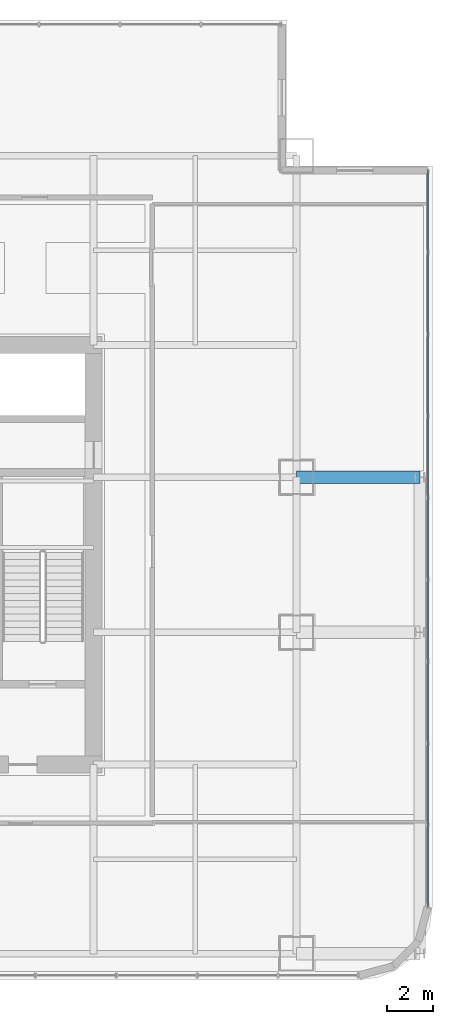
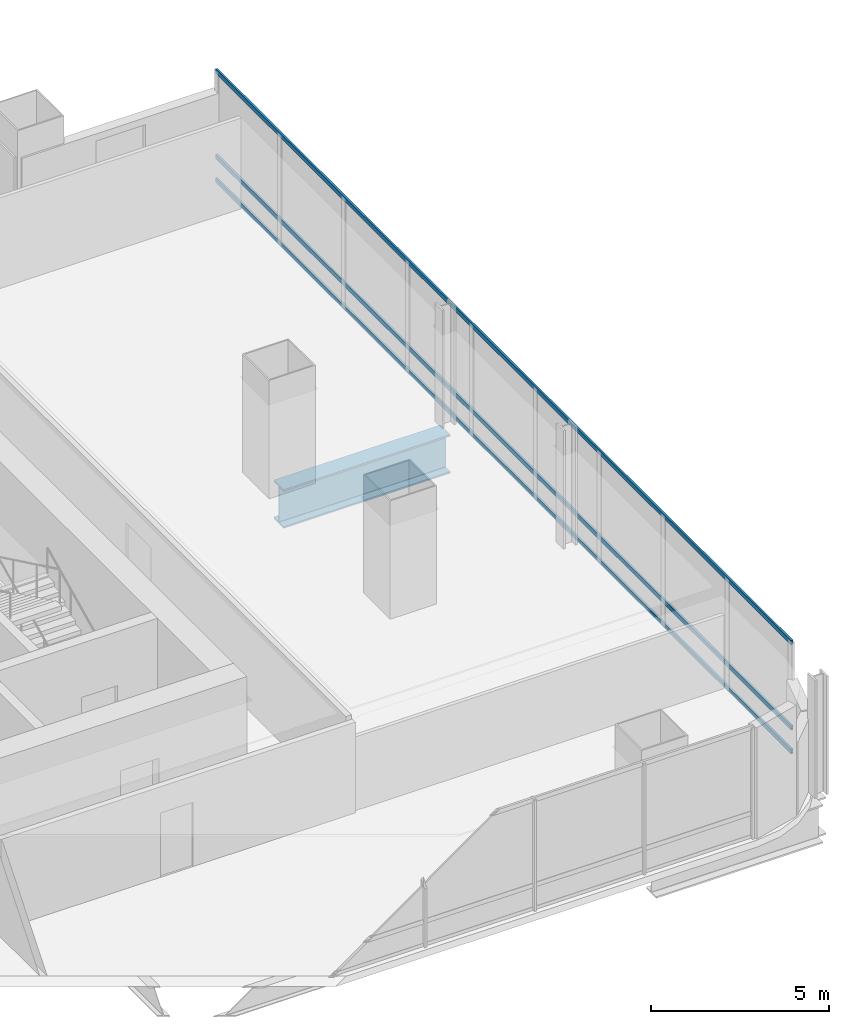
# One storey, part 17 of 34: 3 members, 1 beam, 1 element without a shape of its own.
"""IFC4 building model written with IfcOpenShell, lengths in metres."""

from ifc_helpers import new_model, si_unit, direction, frame, origin, origin_2d, place, context, subcontext, project, spatial, hollow_rectangle, i_section, extrude, material, material_profile, profile_set, type_object, element, aggregate, save


model = new_model("IFC4")

# Units and contexts
model_context = context("Model", 3, precision=1e-05, world=origin(), true_north=direction((0.0, 1.0)))
body_context = subcontext(model_context, "Body", "Model", "MODEL_VIEW")
ifc_project = project(units=[si_unit("LENGTHUNIT", "METRE"), si_unit("AREAUNIT", "SQUARE_METRE"), si_unit("VOLUMEUNIT", "CUBIC_METRE"), si_unit("PLANEANGLEUNIT", "RADIAN"), si_unit("MASSUNIT", "GRAM", prefix="KILO")], contexts=[model_context])

# Site, building, storey
site_placement = place(None, origin())
site = spatial("IfcSite", under=ifc_project, at=site_placement, CompositionType="ELEMENT")
building_placement = place(site_placement, origin())
building = spatial("IfcBuilding", under=site, at=building_placement, Name="Punatoya Terracotta Tower", CompositionType="ELEMENT")
storey_placement = place(building_placement, frame((0.0, 0.0, 117.300048828125)))
storey = spatial("IfcBuildingStorey", under=building, at=storey_placement, Name="L27", CompositionType="ELEMENT", Elevation=117.300048828125)

# Beam
ifc_material_1 = material(Name="Steel S460", Category="steel")
ifc_material_profile_1 = material_profile(ifc_material_1, i_section(OverallWidth=0.56005859375, OverallDepth=1.320068359375, WebThickness=0.035888671875, FlangeThickness=0.054931640625, FilletRadius=0.01806640625, at=origin_2d()))
ifc_profile_set_1 = profile_set([ifc_material_profile_1], Name="Steel S460")
beam_type = type_object("IfcBeamType", Name="BM-TG-BLK", PredefinedType="BEAM", material=ifc_profile_set_1)
beam_placement = place(storey_placement, frame((19.10009765625, 3.39990234375, -0.900146484375), z_axis=(1.0, 0.0, 0.0), x_axis=(0.0, 1.0, 0.0)))
element("IfcBeam", 1, at=beam_placement, inside=storey, type_object=beam_type, Name="BM-L27-CANT-E3", PredefinedType="BEAM", context=body_context, shape_type="SweptSolid", body=[
    extrude(i_section(OverallWidth=0.56005859375, OverallDepth=1.320068359375, WebThickness=0.035888671875, FlangeThickness=0.054931640625, FilletRadius=0.01806640625, at=origin_2d()), origin(), (0.0, 0.0, 1.0), 5.39990234375),
])

# Curtain wall, members
ifc_material_2 = material(Name="Aluminium 6063-T6 + Double Low-E Glass", Category="aluminium")
curtain_wall_type = type_object("IfcCurtainWallType", Name="CW-M1", PredefinedType="NOTDEFINED", material=ifc_material_2)
curtain_wall_placement = place(storey_placement, origin())
curtain_wall = element("IfcCurtainWall", 2, at=curtain_wall_placement, inside=storey, type_object=curtain_wall_type, Name="L27 Curtain Wall CW-L27-E05-1", PredefinedType="NOTDEFINED")
ifc_material_3 = material(Name="Aluminium 6063-T6", Category="aluminium")
ifc_material_profile_2 = material_profile(ifc_material_3, hollow_rectangle(XDim=0.068115234375, YDim=0.14990234375, WallThickness=0.00390625, at=origin_2d()))
ifc_profile_set_2 = profile_set([ifc_material_profile_2], Name="Aluminium 6063-T6")
member_type = type_object("IfcMemberType", Name="CW-TRN-TYP", PredefinedType="USERDEFINED", material=ifc_profile_set_2)
member_1_placement = place(storey_placement, frame((24.85009765625, -15.43701171875, 0.0400390625), z_axis=(0.0, 1.0, 0.0), x_axis=(-1.0, 0.0, 0.0)))
member_1 = element("IfcMember", 3, at=member_1_placement, type_object=member_type, Name="CW-L27-E05-1 Transom 1", ObjectType="TRANSOM", PredefinedType="USERDEFINED", context=body_context, shape_type="SweptSolid", body=[
    extrude(hollow_rectangle(XDim=0.068115234375, YDim=0.14990234375, WallThickness=0.00390625, at=origin_2d()), origin(), (0.0, 0.0, 1.0), 32.287109375),
])
member_2_placement = place(storey_placement, frame((24.85009765625, -15.43701171875, 0.849853515625), z_axis=(0.0, 1.0, 0.0), x_axis=(-1.0, 0.0, 0.0)))
member_2 = element("IfcMember", 4, at=member_2_placement, type_object=member_type, Name="CW-L27-E05-1 Transom 2", ObjectType="TRANSOM", PredefinedType="USERDEFINED", context=body_context, shape_type="SweptSolid", body=[
    extrude(hollow_rectangle(XDim=0.068115234375, YDim=0.14990234375, WallThickness=0.00390625, at=origin_2d()), origin(), (0.0, 0.0, 1.0), 32.287109375),
])
member_3_placement = place(storey_placement, frame((24.85009765625, -15.43701171875, 3.77001953125), z_axis=(0.0, 1.0, 0.0), x_axis=(-1.0, 0.0, 0.0)))
member_3 = element("IfcMember", 5, at=member_3_placement, type_object=member_type, Name="CW-L27-E05-1 Transom 3", ObjectType="TRANSOM", PredefinedType="USERDEFINED", context=body_context, shape_type="SweptSolid", body=[
    extrude(hollow_rectangle(XDim=0.068115234375, YDim=0.14990234375, WallThickness=0.00390625, at=origin_2d()), origin(), (0.0, 0.0, 1.0), 32.287109375),
])
aggregate(curtain_wall, [member_1, member_2, member_3])

save(model, "model.ifc")
